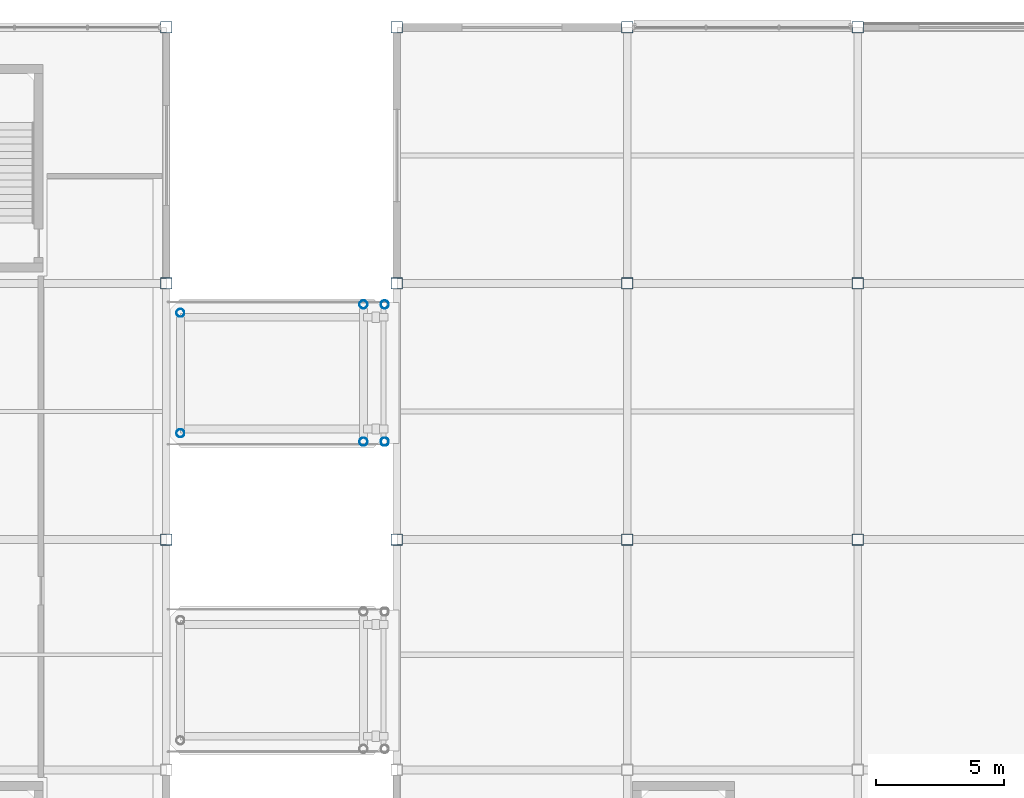
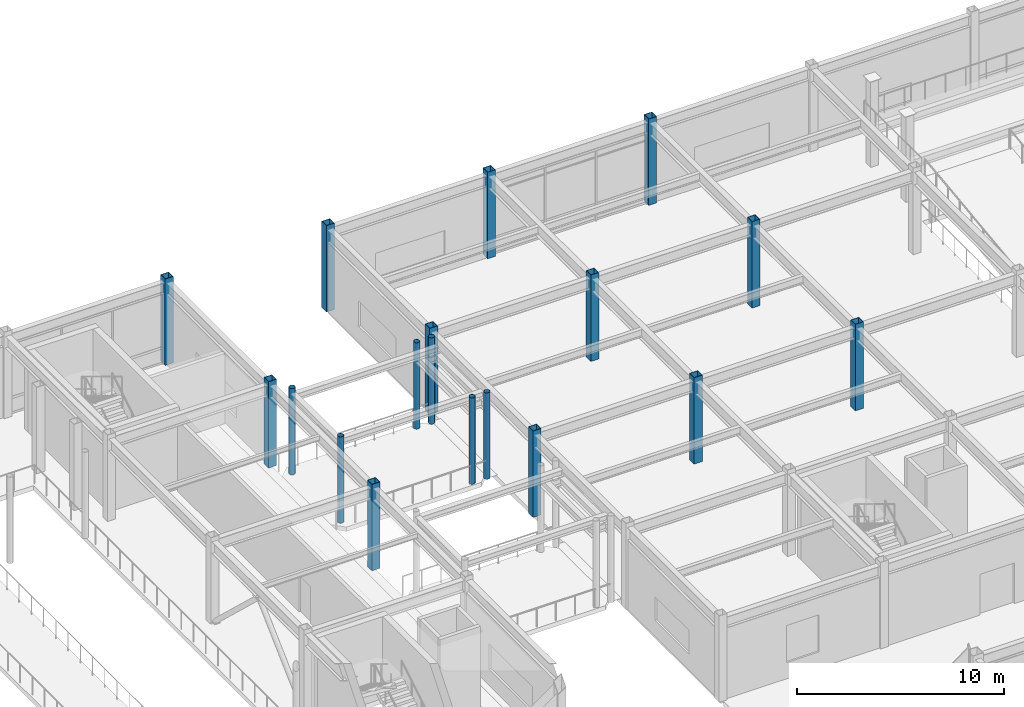
# One storey, part 17 of 123: 18 columns.
"""IFC4 building model written with IfcOpenShell, lengths in metres."""

from ifc_helpers import new_model, si_unit, direction, frame, origin, origin_2d, place, context, subcontext, project, spatial, hollow_rectangle, hollow_circle, extrude, material, material_profile, profile_set, type_object, element, save


model = new_model("IFC4")

# Units and contexts
model_context = context("Model", 3, precision=1e-05, world=origin(), true_north=direction((0.0, 1.0)))
body_context = subcontext(model_context, "Body", "Model", "MODEL_VIEW")
ifc_project = project(units=[si_unit("LENGTHUNIT", "METRE"), si_unit("AREAUNIT", "SQUARE_METRE"), si_unit("VOLUMEUNIT", "CUBIC_METRE"), si_unit("PLANEANGLEUNIT", "RADIAN"), si_unit("MASSUNIT", "GRAM", prefix="KILO")], contexts=[model_context])

# Site, building, storey
site_placement = place(None, origin())
site = spatial("IfcSite", under=ifc_project, at=site_placement, CompositionType="ELEMENT")
building_placement = place(site_placement, origin())
building = spatial("IfcBuilding", under=site, at=building_placement, Name="Suzunagisa Mobility Hub", CompositionType="ELEMENT")
storey_placement = place(building_placement, origin())
storey = spatial("IfcBuildingStorey", under=building, at=storey_placement, Name="L00", CompositionType="ELEMENT", Elevation=0.0)

# Columns
ifc_material = material(Name="Steel SN490B", Category="steel")
ifc_material_profile_1 = material_profile(ifc_material, hollow_circle(Radius=0.1591796875, WallThickness=0.01025390625, at=origin_2d()), Name="CHS-318.5x10.3")
ifc_profile_set_1 = profile_set([ifc_material_profile_1], Name="Steel SN490B")
column_type_1 = type_object("IfcColumnType", Name="Steel Column CL-09 CHS-318.5x10.3", PredefinedType="COLUMN", material=ifc_profile_set_1)
for number, where, z_axis, x_axis, name in (
    (1, (36.550048828125, 102.14990234375, 0.0), (0.0, 0.0, 1.0), (1.0, 0.0, 0.0), "L00 Column 94"),
    (2, (36.550048828125, 106.85009765625, 0.0), (0.0, 0.0, 1.0), (1.0, 0.0, 0.0), "L00 Column 95"),
    (3, (43.699951171875, 101.820068359375, 0.0), (0.0, 0.0, 1.0), (1.0, 0.0, 0.0), "L00 Column 107"),
    (4, (43.699951171875, 107.179931640625, 0.0), (0.0, 0.0, 1.0), (1.0, 0.0, 0.0), "L00 Column 108"),
    (5, (44.530029296875, 101.820068359375, 0.0), (0.0, 0.0, 1.0), (1.0, 0.0, 0.0), "L00 Column 113"),
    (6, (44.530029296875, 107.179931640625, 0.0), (0.0, 0.0, 1.0), (1.0, 0.0, 0.0), "L00 Column 114"),
):
    element("IfcColumn", number, at=place(storey_placement, frame(where, z_axis=z_axis, x_axis=x_axis)), inside=storey, type_object=column_type_1, Name=name, PredefinedType="COLUMN", context=body_context, shape_type="SweptSolid", body=[
        extrude(hollow_circle(Radius=0.1591796875, WallThickness=0.01025390625, at=origin_2d()), origin(), (0.0, 0.0, 1.0), 5.10009765625),
    ])
ifc_material_profile_2 = material_profile(ifc_material, hollow_rectangle(XDim=0.449951171875, YDim=0.449951171875, WallThickness=0.02197265625, at=origin_2d()), Name="BCR-450x450x22")
ifc_profile_set_2 = profile_set([ifc_material_profile_2], Name="Steel SN490B")
column_type_2 = type_object("IfcColumnType", Name="Steel Column CL-17 BCR-450x450x22", PredefinedType="COLUMN", material=ifc_profile_set_2)
for number, where, z_axis, x_axis, name in (
    (7, (36.0, 98.0, 0.0), (0.0, 0.0, 1.0), (1.0, 0.0, 0.0), "L00 Column 87"),
    (8, (36.0, 108.0, 0.0), (0.0, 0.0, 1.0), (1.0, 0.0, 0.0), "L00 Column 88"),
    (9, (36.0, 118.0, 0.0), (0.0, 0.0, 1.0), (1.0, 0.0, 0.0), "L00 Column 89"),
    (10, (45.0, 98.0, 0.0), (0.0, 0.0, 1.0), (1.0, 0.0, 0.0), "L00 Column 120"),
    (11, (45.0, 108.0, 0.0), (0.0, 0.0, 1.0), (1.0, 0.0, 0.0), "L00 Column 121"),
    (12, (45.0, 118.0, 0.0), (0.0, 0.0, 1.0), (1.0, 0.0, 0.0), "L00 Column 122"),
    (13, (54.0, 98.0, 0.0), (0.0, 0.0, 1.0), (1.0, 0.0, 0.0), "L00 Column 131"),
    (14, (54.0, 108.0, 0.0), (0.0, 0.0, 1.0), (1.0, 0.0, 0.0), "L00 Column 132"),
    (15, (54.0, 118.0, 0.0), (0.0, 0.0, 1.0), (1.0, 0.0, 0.0), "L00 Column 133"),
    (16, (63.0, 98.0, 0.0), (0.0, 0.0, 1.0), (1.0, 0.0, 0.0), "L00 Column 140"),
    (17, (63.0, 108.0, 0.0), (0.0, 0.0, 1.0), (1.0, 0.0, 0.0), "L00 Column 141"),
    (18, (63.0, 118.0, 0.0), (0.0, 0.0, 1.0), (1.0, 0.0, 0.0), "L00 Column 142"),
):
    element("IfcColumn", number, at=place(storey_placement, frame(where, z_axis=z_axis, x_axis=x_axis)), inside=storey, type_object=column_type_2, Name=name, PredefinedType="COLUMN", context=body_context, shape_type="SweptSolid", body=[
        extrude(hollow_rectangle(XDim=0.449951171875, YDim=0.449951171875, WallThickness=0.02197265625, at=origin_2d()), origin(), (0.0, 0.0, 1.0), 5.10009765625),
    ])

save(model, "model.ifc")
